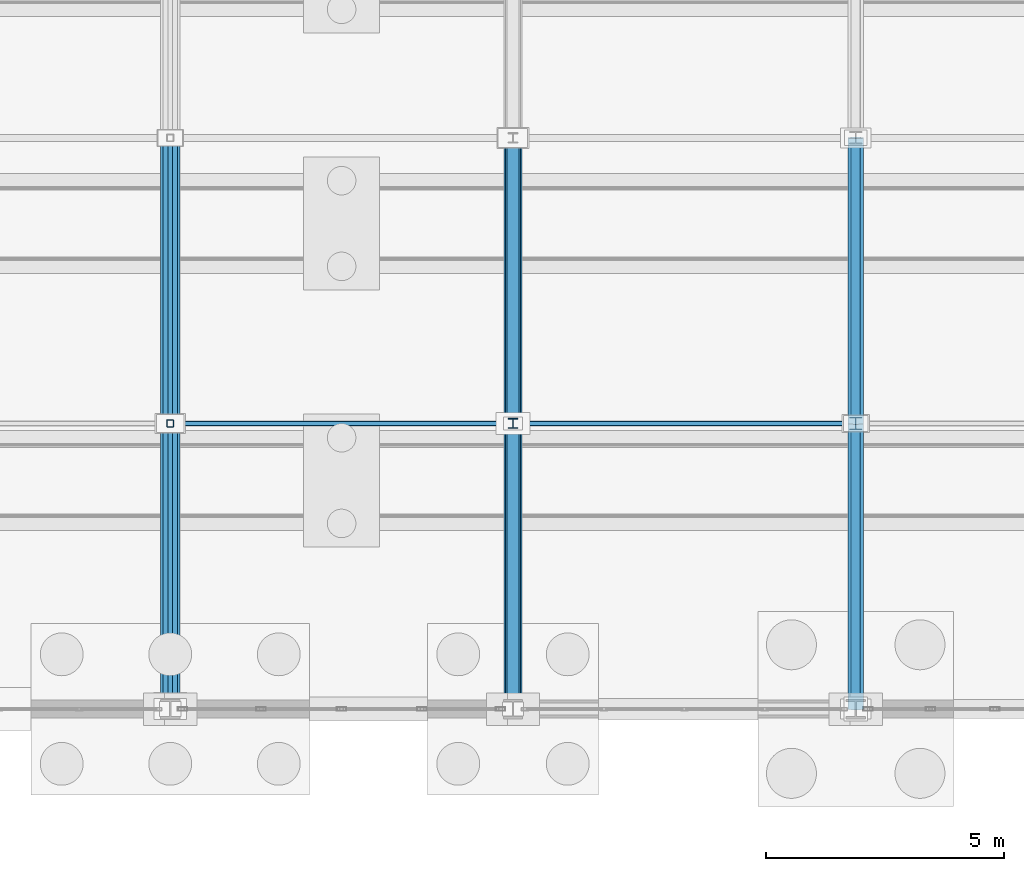
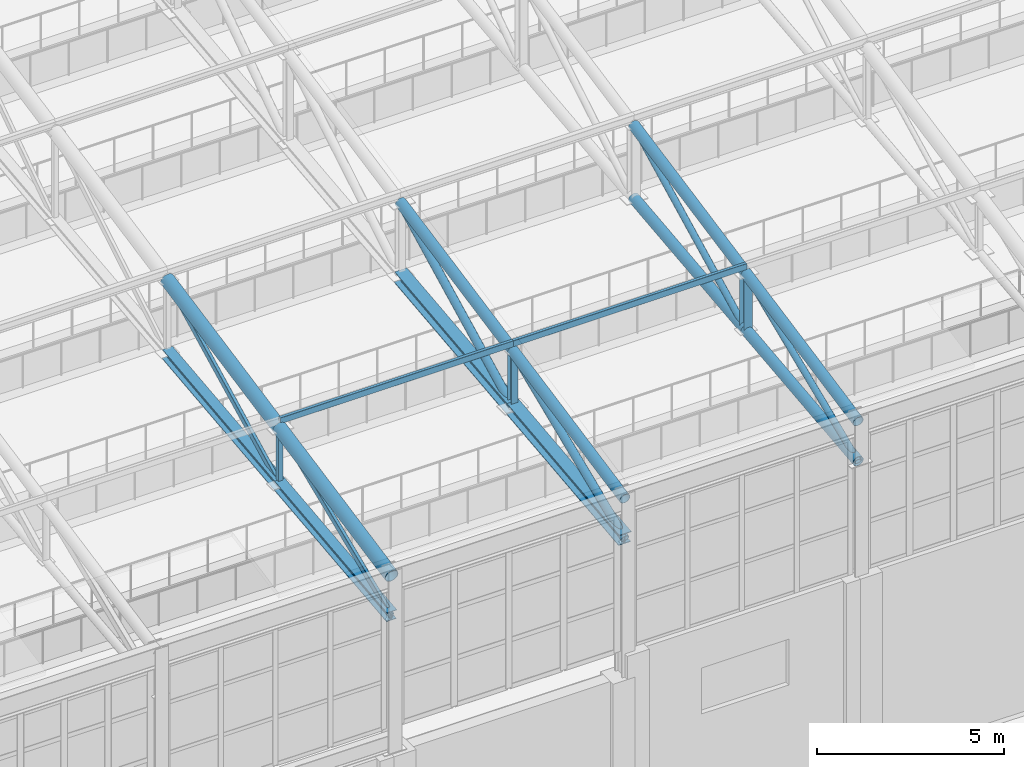
# One storey, part 130 of 293: 23 members.
"""IFC4 building model written with IfcOpenShell, lengths in metres."""

from ifc_helpers import new_model, si_unit, direction, frame, origin, origin_2d, place, context, subcontext, project, spatial, hollow_rectangle, hollow_circle, i_section, extrude, material, material_profile, profile_set, type_object, element, save


model = new_model("IFC4")

# Units and contexts
model_context = context("Model", 3, precision=1e-05, world=origin(), true_north=direction((0.0, 1.0)))
body_context = subcontext(model_context, "Body", "Model", "MODEL_VIEW")
ifc_project = project(units=[si_unit("LENGTHUNIT", "METRE"), si_unit("AREAUNIT", "SQUARE_METRE"), si_unit("VOLUMEUNIT", "CUBIC_METRE"), si_unit("PLANEANGLEUNIT", "RADIAN"), si_unit("MASSUNIT", "GRAM", prefix="KILO")], contexts=[model_context])

# Site, building, storey
site_placement = place(None, origin())
site = spatial("IfcSite", under=ifc_project, at=site_placement, CompositionType="ELEMENT")
building_placement = place(site_placement, origin())
building = spatial("IfcBuilding", under=site, at=building_placement, Name="Kemerveld Promenade Tramway Depot", CompositionType="ELEMENT")
storey_placement = place(building_placement, origin())
storey = spatial("IfcBuildingStorey", under=building, at=storey_placement, Name="L00", CompositionType="ELEMENT", Elevation=0.0)

# Members
ifc_material = material(Name="Steel S355", Category="steel")
ifc_material_profile_1 = material_profile(ifc_material, hollow_rectangle(XDim=0.10009765625, YDim=0.199951171875, WallThickness=0.008056640625, InnerFilletRadius=0.00390625, OuterFilletRadius=0.011962890625, at=origin_2d()), Name="200x100x8.0 RHS")
ifc_profile_set_1 = profile_set([ifc_material_profile_1], Name="Steel S355")
member_type_1 = type_object("IfcMemberType", Name="MB-M03", PredefinedType="BRACE", material=ifc_profile_set_1)
member_1_placement = place(storey_placement, frame((79.199951171875, 84.0, 9.800048828125), z_axis=(0.0, 0.923076923077, 0.384615384615), x_axis=(-1.0, 0.0, 0.0)))
element("IfcMember", 1, at=member_1_placement, inside=storey, type_object=member_type_1, Name="TR-12-DG-01", PredefinedType="BRACE", context=body_context, shape_type="SweptSolid", body=[
    extrude(hollow_rectangle(XDim=0.10009765625, YDim=0.199951171875, WallThickness=0.008056640625, InnerFilletRadius=0.00390625, OuterFilletRadius=0.011962890625, at=origin_2d()), origin(), (0.0, 0.0, 1.0), 6.5),
])
member_2_placement = place(storey_placement, frame((79.199951171875, 90.0, 10.4599609375), z_axis=(0.0, 0.892033434612, 0.451969414379), x_axis=(-1.0, 0.0, 0.0)))
element("IfcMember", 2, at=member_2_placement, inside=storey, type_object=member_type_1, Name="TR-12-DG-02", PredefinedType="BRACE", context=body_context, shape_type="SweptSolid", body=[
    extrude(hollow_rectangle(XDim=0.10009765625, YDim=0.199951171875, WallThickness=0.008056640625, InnerFilletRadius=0.00390625, OuterFilletRadius=0.011962890625, at=origin_2d()), origin(), (0.0, 0.0, 1.0), 6.726318359375),
])
ifc_material_profile_2 = material_profile(ifc_material, i_section(OverallWidth=0.25634765625, OverallDepth=0.26025390625, WebThickness=0.01025390625, FlangeThickness=0.017333984375, FilletRadius=0.0126953125, at=origin_2d()), Name="254x254x89 UC")
ifc_profile_set_2 = profile_set([ifc_material_profile_2], Name="Steel S355")
member_type_2 = type_object("IfcMemberType", Name="MB-M04", PredefinedType="POST", material=ifc_profile_set_2)
member_3_placement = place(storey_placement, frame((93.60009765625, 90.0, 10.4599609375), z_axis=(0.0, 0.0, 1.0), x_axis=(1.0, 0.0, 0.0)))
element("IfcMember", 3, at=member_3_placement, inside=storey, type_object=member_type_2, Name="TR-14-VT-01", PredefinedType="POST", context=body_context, shape_type="SweptSolid", body=[
    extrude(i_section(OverallWidth=0.25634765625, OverallDepth=0.26025390625, WebThickness=0.01025390625, FlangeThickness=0.017333984375, FilletRadius=0.0126953125, at=origin_2d()), origin(), (0.0, 0.0, 1.0), 1.840087890625),
])
ifc_material_profile_3 = material_profile(ifc_material, i_section(OverallWidth=0.37255859375, OverallDepth=0.3681640625, WebThickness=0.014404296875, FlangeThickness=0.023681640625, FilletRadius=0.01513671875, at=origin_2d()), Name="356x368x177 UC")
ifc_profile_set_3 = profile_set([ifc_material_profile_3], Name="Steel S355")
member_type_3 = type_object("IfcMemberType", Name="MB-M08", PredefinedType="CHORD", material=ifc_profile_set_3)
for number, where, z_axis, x_axis, name in (
    (4, (86.39990234375, 84.0, 9.800048828125), (0.0, 0.994005938353, 0.109326092585), (-1.0, 0.0, 0.0), "TR-13-BC-01"),
    (5, (86.39990234375, 90.0, 10.4599609375), (0.0, 0.994001542248, 0.109366055104), (-1.0, 0.0, 0.0), "TR-13-BC-02"),
):
    element("IfcMember", number, at=place(storey_placement, frame(where, z_axis=z_axis, x_axis=x_axis)), inside=storey, type_object=member_type_3, Name=name, PredefinedType="CHORD", context=body_context, shape_type="SweptSolid", body=[
        extrude(i_section(OverallWidth=0.37255859375, OverallDepth=0.3681640625, WebThickness=0.014404296875, FlangeThickness=0.023681640625, FilletRadius=0.01513671875, at=origin_2d()), origin(), (0.0, 0.0, 1.0), 6.0361328125),
    ])
ifc_material_profile_4 = material_profile(ifc_material, hollow_rectangle(XDim=0.10009765625, YDim=0.199951171875, WallThickness=0.008056640625, InnerFilletRadius=0.00390625, OuterFilletRadius=0.011962890625, at=origin_2d()), Name="200x100x8.0 RHS")
ifc_profile_set_4 = profile_set([ifc_material_profile_4], Name="Steel S355")
member_type_4 = type_object("IfcMemberType", Name="MB-PR2", PredefinedType="PURLIN", material=ifc_profile_set_4)
member_4_placement = place(storey_placement, frame((79.199951171875, 90.0, 12.544921875), z_axis=(1.0, 0.0, 0.0), x_axis=(0.0, 1.0, 0.0)))
element("IfcMember", 6, at=member_4_placement, inside=storey, type_object=member_type_4, Name="PUR-V1-01-12", PredefinedType="PURLIN", context=body_context, shape_type="SweptSolid", body=[
    extrude(hollow_rectangle(XDim=0.10009765625, YDim=0.199951171875, WallThickness=0.008056640625, InnerFilletRadius=0.00390625, OuterFilletRadius=0.011962890625, at=origin_2d()), origin(), (0.0, 0.0, 1.0), 7.199951171875),
])
member_5_placement = place(storey_placement, frame((86.39990234375, 90.0, 12.544921875), z_axis=(1.0, 0.0, 0.0), x_axis=(0.0, 1.0, 0.0)))
element("IfcMember", 7, at=member_5_placement, inside=storey, type_object=member_type_4, Name="PUR-V1-01-13", PredefinedType="PURLIN", context=body_context, shape_type="SweptSolid", body=[
    extrude(hollow_rectangle(XDim=0.10009765625, YDim=0.199951171875, WallThickness=0.008056640625, InnerFilletRadius=0.00390625, OuterFilletRadius=0.011962890625, at=origin_2d()), origin(), (0.0, 0.0, 1.0), 7.2001953125),
])
ifc_material_profile_5 = material_profile(ifc_material, hollow_circle(Radius=0.122314453125, WallThickness=0.010009765625, at=origin_2d()), Name="244.5x10.0 CHS")
ifc_profile_set_5 = profile_set([ifc_material_profile_5], Name="Steel S355")
member_type_5 = type_object("IfcMemberType", Name="MB-TB1", PredefinedType="BRACE", material=ifc_profile_set_5)
member_6_placement = place(storey_placement, frame((86.39990234375, 84.0, 9.800048828125), z_axis=(0.0, 0.923076923077, 0.384615384615), x_axis=(-1.0, 0.0, 0.0)))
element("IfcMember", 8, at=member_6_placement, inside=storey, type_object=member_type_5, Name="TR-13-DG-01", PredefinedType="BRACE", context=body_context, shape_type="SweptSolid", body=[
    extrude(hollow_circle(Radius=0.122314453125, WallThickness=0.010009765625, at=origin_2d()), origin(), (0.0, 0.0, 1.0), 6.5),
])
member_7_placement = place(storey_placement, frame((86.39990234375, 90.0, 10.4599609375), z_axis=(0.0, 0.892033434612, 0.451969414379), x_axis=(-1.0, 0.0, 0.0)))
element("IfcMember", 9, at=member_7_placement, inside=storey, type_object=member_type_5, Name="TR-13-DG-02", PredefinedType="BRACE", context=body_context, shape_type="SweptSolid", body=[
    extrude(hollow_circle(Radius=0.122314453125, WallThickness=0.010009765625, at=origin_2d()), origin(), (0.0, 0.0, 1.0), 6.726318359375),
])
ifc_material_profile_6 = material_profile(ifc_material, hollow_circle(Radius=0.096923828125, WallThickness=0.008056640625, at=origin_2d()), Name="193.7x8.0 CHS")
ifc_profile_set_6 = profile_set([ifc_material_profile_6], Name="Steel S355")
member_type_6 = type_object("IfcMemberType", Name="MB-TB2", PredefinedType="BRACE", material=ifc_profile_set_6)
member_8_placement = place(storey_placement, frame((93.60009765625, 84.0, 9.800048828125), z_axis=(0.0, 0.923076923077, 0.384615384615), x_axis=(-1.0, 0.0, 0.0)))
element("IfcMember", 10, at=member_8_placement, inside=storey, type_object=member_type_6, Name="TR-14-DG-01", PredefinedType="BRACE", context=body_context, shape_type="SweptSolid", body=[
    extrude(hollow_circle(Radius=0.096923828125, WallThickness=0.008056640625, at=origin_2d()), origin(), (0.0, 0.0, 1.0), 6.5),
])
member_9_placement = place(storey_placement, frame((93.60009765625, 90.0, 10.4599609375), z_axis=(0.0, 0.892033434612, 0.451969414379), x_axis=(-1.0, 0.0, 0.0)))
element("IfcMember", 11, at=member_9_placement, inside=storey, type_object=member_type_6, Name="TR-14-DG-02", PredefinedType="BRACE", context=body_context, shape_type="SweptSolid", body=[
    extrude(hollow_circle(Radius=0.096923828125, WallThickness=0.008056640625, at=origin_2d()), origin(), (0.0, 0.0, 1.0), 6.726318359375),
])
ifc_material_profile_7 = material_profile(ifc_material, hollow_circle(Radius=0.203125, WallThickness=0.01611328125, at=origin_2d()), Name="406.4x16.0 CHS")
ifc_profile_set_7 = profile_set([ifc_material_profile_7], Name="Steel S355")
member_type_7 = type_object("IfcMemberType", Name="MB-TC1", PredefinedType="CHORD", material=ifc_profile_set_7)
for number, where, z_axis, x_axis, name in (
    (12, (79.199951171875, 84.0, 11.10009765625), (0.0, 0.980582210276, 0.196108462057), (-1.0, 0.0, 0.0), "TR-12-TC-01"),
    (13, (79.199951171875, 90.0, 12.300048828125), (0.0, 0.980582210276, 0.196108462057), (-1.0, 0.0, 0.0), "TR-12-TC-02"),
):
    element("IfcMember", number, at=place(storey_placement, frame(where, z_axis=z_axis, x_axis=x_axis)), inside=storey, type_object=member_type_7, Name=name, PredefinedType="CHORD", context=body_context, shape_type="SweptSolid", body=[
        extrude(hollow_circle(Radius=0.203125, WallThickness=0.01611328125, at=origin_2d()), origin(), (0.0, 0.0, 1.0), 6.118896484375),
    ])
ifc_material_profile_8 = material_profile(ifc_material, hollow_circle(Radius=0.161865234375, WallThickness=0.012451171875, at=origin_2d()), Name="323.9x12.5 CHS")
ifc_profile_set_8 = profile_set([ifc_material_profile_8], Name="Steel S355")
member_type_8 = type_object("IfcMemberType", Name="MB-TC2", PredefinedType="CHORD", material=ifc_profile_set_8)
for number, where, z_axis, x_axis, name in (
    (14, (86.39990234375, 84.0, 11.10009765625), (0.0, 0.980582210276, 0.196108462057), (-1.0, 0.0, 0.0), "TR-13-TC-01"),
    (15, (86.39990234375, 90.0, 12.300048828125), (0.0, 0.980582210276, 0.196108462057), (-1.0, 0.0, 0.0), "TR-13-TC-02"),
    (16, (93.60009765625, 84.0, 11.10009765625), (0.0, 0.980582210276, 0.196108462057), (-1.0, 0.0, 0.0), "TR-14-TC-01"),
):
    element("IfcMember", number, at=place(storey_placement, frame(where, z_axis=z_axis, x_axis=x_axis)), inside=storey, type_object=member_type_8, Name=name, PredefinedType="CHORD", context=body_context, shape_type="SweptSolid", body=[
        extrude(hollow_circle(Radius=0.161865234375, WallThickness=0.012451171875, at=origin_2d()), origin(), (0.0, 0.0, 1.0), 6.118896484375),
    ])
member_10_placement = place(storey_placement, frame((93.60009765625, 84.0, 9.800048828125), z_axis=(0.0, 0.994005938353, 0.109326092585), x_axis=(-1.0, 0.0, 0.0)))
element("IfcMember", 17, at=member_10_placement, inside=storey, type_object=member_type_8, Name="TR-14-BC-01", PredefinedType="CHORD", context=body_context, shape_type="SweptSolid", body=[
    extrude(hollow_circle(Radius=0.161865234375, WallThickness=0.012451171875, at=origin_2d()), origin(), (0.0, 0.0, 1.0), 6.0361328125),
])
member_11_placement = place(storey_placement, frame((93.60009765625, 90.0, 12.300048828125), z_axis=(0.0, 0.980582210276, 0.196108462057), x_axis=(-1.0, 0.0, 0.0)))
element("IfcMember", 18, at=member_11_placement, inside=storey, type_object=member_type_8, Name="TR-14-TC-02", PredefinedType="CHORD", context=body_context, shape_type="SweptSolid", body=[
    extrude(hollow_circle(Radius=0.161865234375, WallThickness=0.012451171875, at=origin_2d()), origin(), (0.0, 0.0, 1.0), 6.118896484375),
])
member_12_placement = place(storey_placement, frame((93.60009765625, 90.0, 10.4599609375), z_axis=(0.0, 0.994001542248, 0.109366055104), x_axis=(-1.0, 0.0, 0.0)))
element("IfcMember", 19, at=member_12_placement, inside=storey, type_object=member_type_8, Name="TR-14-BC-02", PredefinedType="CHORD", context=body_context, shape_type="SweptSolid", body=[
    extrude(hollow_circle(Radius=0.161865234375, WallThickness=0.012451171875, at=origin_2d()), origin(), (0.0, 0.0, 1.0), 6.0361328125),
])
ifc_material_profile_9 = material_profile(ifc_material, i_section(OverallWidth=0.307373046875, OverallDepth=0.314453125, WebThickness=0.011962890625, FlangeThickness=0.018798828125, FilletRadius=0.01513671875, at=origin_2d()), Name="305x305x118 UC")
ifc_profile_set_9 = profile_set([ifc_material_profile_9], Name="Steel S355")
member_type_9 = type_object("IfcMemberType", Name="MB-TC4", PredefinedType="CHORD", material=ifc_profile_set_9)
for number, where, z_axis, x_axis, name in (
    (20, (79.199951171875, 84.0, 9.800048828125), (0.0, 0.994005938353, 0.109326092585), (-1.0, 0.0, 0.0), "TR-12-BC-01"),
    (21, (79.199951171875, 90.0, 10.4599609375), (0.0, 0.994001542248, 0.109366055104), (-1.0, 0.0, 0.0), "TR-12-BC-02"),
):
    element("IfcMember", number, at=place(storey_placement, frame(where, z_axis=z_axis, x_axis=x_axis)), inside=storey, type_object=member_type_9, Name=name, PredefinedType="CHORD", context=body_context, shape_type="SweptSolid", body=[
        extrude(i_section(OverallWidth=0.307373046875, OverallDepth=0.314453125, WebThickness=0.011962890625, FlangeThickness=0.018798828125, FilletRadius=0.01513671875, at=origin_2d()), origin(), (0.0, 0.0, 1.0), 6.0361328125),
    ])
ifc_material_profile_10 = material_profile(ifc_material, hollow_rectangle(XDim=0.14990234375, YDim=0.14990234375, WallThickness=0.008056640625, InnerFilletRadius=0.00390625, OuterFilletRadius=0.011962890625, at=origin_2d()), Name="150x150x8.0 SHS")
ifc_profile_set_10 = profile_set([ifc_material_profile_10], Name="Steel S355")
member_type_10 = type_object("IfcMemberType", Name="MB-TP2", PredefinedType="POST", material=ifc_profile_set_10)
member_13_placement = place(storey_placement, frame((79.199951171875, 90.0, 10.4599609375), z_axis=(0.0, 0.0, 1.0), x_axis=(1.0, 0.0, 0.0)))
element("IfcMember", 22, at=member_13_placement, inside=storey, type_object=member_type_10, Name="TR-12-VT-01", PredefinedType="POST", context=body_context, shape_type="SweptSolid", body=[
    extrude(hollow_rectangle(XDim=0.14990234375, YDim=0.14990234375, WallThickness=0.008056640625, InnerFilletRadius=0.00390625, OuterFilletRadius=0.011962890625, at=origin_2d()), origin(), (0.0, 0.0, 1.0), 1.840087890625),
])
ifc_material_profile_11 = material_profile(ifc_material, i_section(OverallWidth=0.205810546875, OverallDepth=0.209716796875, WebThickness=0.009521484375, FlangeThickness=0.01416015625, FilletRadius=0.01025390625, at=origin_2d()), Name="203x203x60 UC")
ifc_profile_set_11 = profile_set([ifc_material_profile_11], Name="Steel S355")
member_type_11 = type_object("IfcMemberType", Name="MB-TP3", PredefinedType="POST", material=ifc_profile_set_11)
member_14_placement = place(storey_placement, frame((86.39990234375, 90.0, 10.4599609375), z_axis=(0.0, 0.0, 1.0), x_axis=(1.0, 0.0, 0.0)))
element("IfcMember", 23, at=member_14_placement, inside=storey, type_object=member_type_11, Name="TR-13-VT-01", PredefinedType="POST", context=body_context, shape_type="SweptSolid", body=[
    extrude(i_section(OverallWidth=0.205810546875, OverallDepth=0.209716796875, WebThickness=0.009521484375, FlangeThickness=0.01416015625, FilletRadius=0.01025390625, at=origin_2d()), origin(), (0.0, 0.0, 1.0), 1.840087890625),
])

save(model, "model.ifc")
